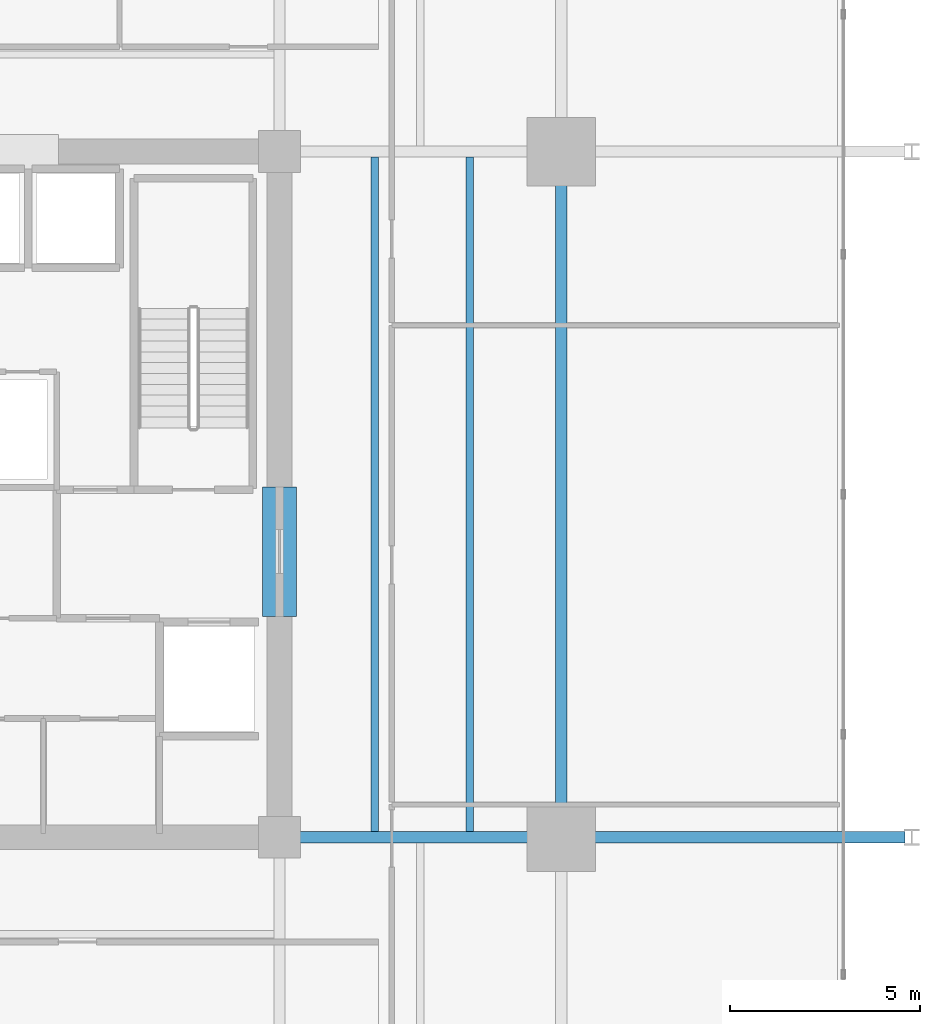
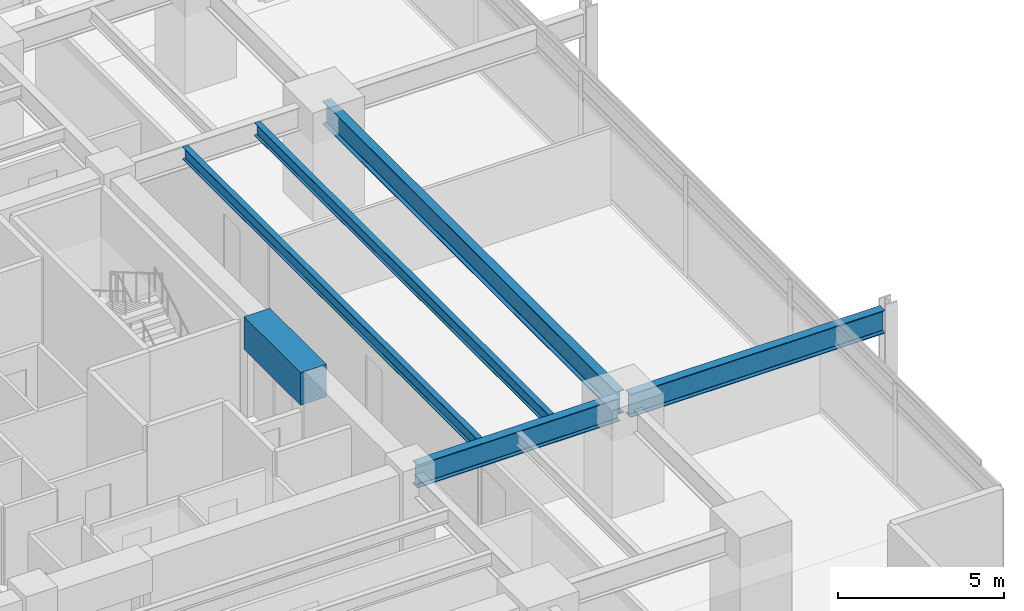
# One storey, part 3 of 22: 6 beams.
"""IFC4 building model written with IfcOpenShell, lengths in metres."""

from ifc_helpers import new_model, si_unit, direction, frame, origin, origin_2d, place, context, subcontext, project, spatial, rectangle, i_section, extrude, material, material_profile, profile_set, type_object, element, save


model = new_model("IFC4")

# Units and contexts
model_context = context("Model", 3, precision=1e-05, world=origin(), true_north=direction((0.0, 1.0)))
body_context = subcontext(model_context, "Body", "Model", "MODEL_VIEW")
ifc_project = project(units=[si_unit("LENGTHUNIT", "METRE"), si_unit("AREAUNIT", "SQUARE_METRE"), si_unit("VOLUMEUNIT", "CUBIC_METRE"), si_unit("PLANEANGLEUNIT", "RADIAN"), si_unit("MASSUNIT", "GRAM", prefix="KILO")], contexts=[model_context])

# Site, building, storey
site_placement = place(None, origin())
site = spatial("IfcSite", under=ifc_project, at=site_placement, CompositionType="ELEMENT")
building_placement = place(site_placement, origin())
building = spatial("IfcBuilding", under=site, at=building_placement, Name="Kovane Verandah Tower", CompositionType="ELEMENT")
storey_placement = place(building_placement, frame((0.0, 0.0, 59.60009765625)))
storey = spatial("IfcBuildingStorey", under=building, at=storey_placement, Name="L13", CompositionType="ELEMENT", Elevation=59.60009765625)

# Beams
ifc_material_1 = material(Name="Concrete C80/95", Category="concrete")
ifc_material_profile_1 = material_profile(ifc_material_1, rectangle(XDim=0.89990234375, YDim=1.199951171875, at=origin_2d()), Name="RCB900x1200")
ifc_profile_set_1 = profile_set([ifc_material_profile_1], Name="Concrete C80/95")
beam_type_1 = type_object("IfcBeamType", Name="BM-LINTEL-900x1200", PredefinedType="LINTEL", material=ifc_profile_set_1)
beam_1_placement = place(storey_placement, frame((51.0, 24.300048828125, 3.159912109375), z_axis=(0.0, 1.0, 0.0), x_axis=(-1.0, 0.0, 0.0)))
element("IfcBeam", 1, at=beam_1_placement, inside=storey, type_object=beam_type_1, Name="L13 Core Coupling Lintel CL-E", PredefinedType="LINTEL", context=body_context, shape_type="SweptSolid", body=[
    extrude(rectangle(XDim=0.89990234375, YDim=1.199951171875, at=origin_2d()), origin(), (0.0, 0.0, 1.0), 3.39990234375),
])
ifc_material_2 = material(Name="Steel S355", Category="steel")
ifc_material_profile_2 = material_profile(ifc_material_2, i_section(OverallWidth=0.293701171875, OverallDepth=0.850830078125, WebThickness=0.01611328125, FlangeThickness=0.02685546875, FilletRadius=0.017822265625, at=origin_2d()), Name="UB838x292x226")
ifc_profile_set_2 = profile_set([ifc_material_profile_2], Name="Steel S355")
beam_type_2 = type_object("IfcBeamType", Name="BM-UB838x226", PredefinedType="BEAM", material=ifc_profile_set_2)
beam_2_placement = place(storey_placement, frame((58.39990234375, 18.679931640625, 3.33447265625), z_axis=(0.0, 1.0, 0.0), x_axis=(-1.0, 0.0, 0.0)))
element("IfcBeam", 2, at=beam_2_placement, inside=storey, type_object=beam_type_2, Name="L13 Primary Tower Girder G-RE2", PredefinedType="BEAM", context=body_context, shape_type="SweptSolid", body=[
    extrude(i_section(OverallWidth=0.293701171875, OverallDepth=0.850830078125, WebThickness=0.01611328125, FlangeThickness=0.02685546875, FilletRadius=0.017822265625, at=origin_2d()), origin(), (0.0, 0.0, 1.0), 17.64013671875),
])
beam_3_placement = place(storey_placement, frame((51.179931640625, 18.5, 3.33447265625), z_axis=(1.0, 0.0, 0.0), x_axis=(0.0, 1.0, 0.0)))
element("IfcBeam", 3, at=beam_3_placement, inside=storey, type_object=beam_type_2, Name="L13 Primary Tower Girder G-E1", PredefinedType="BEAM", context=body_context, shape_type="SweptSolid", body=[
    extrude(i_section(OverallWidth=0.293701171875, OverallDepth=0.850830078125, WebThickness=0.01611328125, FlangeThickness=0.02685546875, FilletRadius=0.017822265625, at=origin_2d()), origin(), (0.0, 0.0, 1.0), 7.0400390625),
])
beam_4_placement = place(storey_placement, frame((58.580078125, 18.5, 3.33447265625), z_axis=(1.0, 0.0, 0.0), x_axis=(0.0, 1.0, 0.0)))
element("IfcBeam", 4, at=beam_4_placement, inside=storey, type_object=beam_type_2, Name="L13 Primary Tower Girder G-VE1", PredefinedType="BEAM", context=body_context, shape_type="SweptSolid", body=[
    extrude(i_section(OverallWidth=0.293701171875, OverallDepth=0.850830078125, WebThickness=0.01611328125, FlangeThickness=0.02685546875, FilletRadius=0.017822265625, at=origin_2d()), origin(), (0.0, 0.0, 1.0), 8.83984375),
])
ifc_material_profile_3 = material_profile(ifc_material_2, i_section(OverallWidth=0.19287109375, OverallDepth=0.46728515625, WebThickness=0.011474609375, FlangeThickness=0.01953125, FilletRadius=0.01025390625, at=origin_2d()), Name="UB457x191x98")
ifc_profile_set_3 = profile_set([ifc_material_profile_3], Name="Steel S355")
beam_type_3 = type_object("IfcBeamType", Name="JST-UB457x98", PredefinedType="JOIST", material=ifc_profile_set_3)
for number, where, z_axis, x_axis, name in (
    (5, (53.5, 18.64501953125, 3.5263671875), (0.0, 1.0, 0.0), (-1.0, 0.0, 0.0), "L13 Secondary Composite Joist J-E1"),
    (6, (56.0, 18.64501953125, 3.5263671875), (0.0, 1.0, 0.0), (-1.0, 0.0, 0.0), "L13 Secondary Composite Joist J-E2"),
):
    element("IfcBeam", number, at=place(storey_placement, frame(where, z_axis=z_axis, x_axis=x_axis)), inside=storey, type_object=beam_type_3, Name=name, PredefinedType="JOIST", context=body_context, shape_type="SweptSolid", body=[
        extrude(i_section(OverallWidth=0.19287109375, OverallDepth=0.46728515625, WebThickness=0.011474609375, FlangeThickness=0.01953125, FilletRadius=0.01025390625, at=origin_2d()), origin(), (0.0, 0.0, 1.0), 17.7099609375),
    ])

save(model, "model.ifc")
